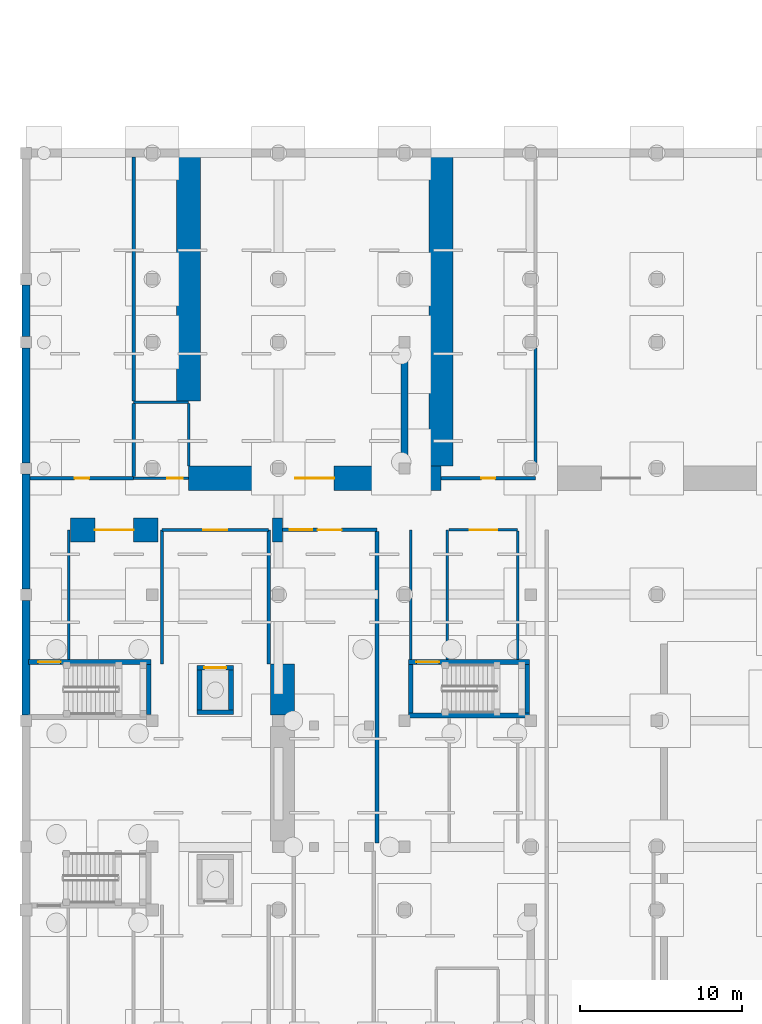
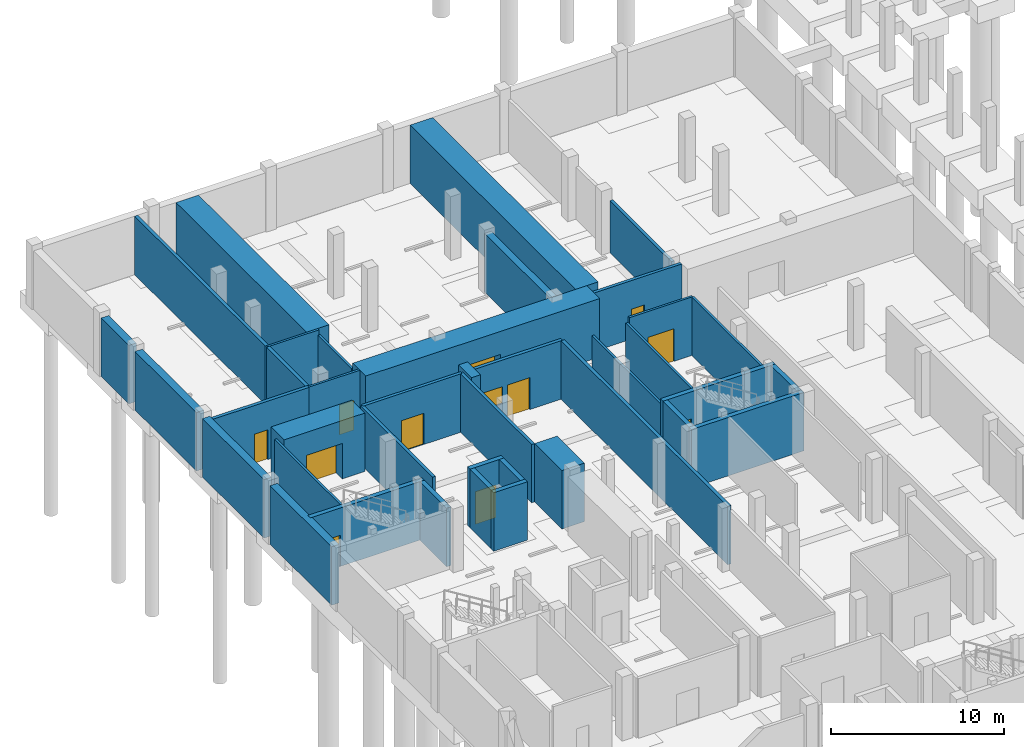
# One storey, part 12 of 24: 39 walls, 11 doors, 1 window, 12 openings.
"""IFC4 building model written with IfcOpenShell, lengths in metres."""

import ifcopenshell
import ifcopenshell.guid

model = None  # the IFC model being written
_history = None  # IfcOwnerHistory: only IFC2X3 demands one
_inside = {}  # id of a spatial element -> (the spatial element, [elements in it])
_under = {}  # id of a project, library or spatial element -> (it, [spatial elements below it])
_declared = {}  # id of a project -> (the project, [libraries it declares])
_typed = {}  # id of a type object -> (the type object, [elements of that type])
_made_of = {}  # id of a material, layer set ... -> (it, [elements and type objects made of it])


def new_model(schema):
    """Start an empty IFC model of exactly this schema.

    Asked for "IFC4X3", IfcOpenShell would pick the latest addendum, in which some entities
    have other attributes; the version numbers below select the first issue.
    IFC2X3 requires an IfcOwnerHistory on every rooted entity: one is made here for all.
    """
    global model, _history
    if schema == "IFC4X3":
        model = ifcopenshell.file(schema_version=(4, 3, 0, 0))
    else:
        model = ifcopenshell.file(schema=schema)
    _inside.clear()
    _under.clear()
    _declared.clear()
    _typed.clear()
    _made_of.clear()
    _history = None
    if model.schema == "IFC2X3":
        org = make("IfcOrganization", Name="unknown")
        user = make(
            "IfcPersonAndOrganization",
            ThePerson=make("IfcPerson", FamilyName="unknown"),
            TheOrganization=org,
        )
        app = make(
            "IfcApplication",
            ApplicationDeveloper=org,
            Version="unknown",
            ApplicationFullName="unknown",
            ApplicationIdentifier="unknown",
        )
        _history = make(
            "IfcOwnerHistory",
            OwningUser=user,
            OwningApplication=app,
            ChangeAction="ADDED",
            CreationDate=0,
        )
    return model


def make(cls, **values):
    """One entity of the class cls with the attributes given. An attribute that is None is left unset."""
    return model.create_entity(
        cls, **{name: value for name, value in values.items() if value is not None}
    )


def rooted(cls, **values):
    """An entity with a GlobalId (a new one), such as an element, a storey or a relation."""
    return make(cls, GlobalId=ifcopenshell.guid.new(), OwnerHistory=_history, **values)


def si_unit(unit_type, name, prefix=None):
    """IfcSIUnit, for example si_unit("LENGTHUNIT", "METRE", prefix="MILLI")."""
    return make("IfcSIUnit", UnitType=unit_type, Prefix=prefix, Name=name)


def assignment(units):
    """IfcUnitAssignment: the units of a project."""
    return None if units is None else make("IfcUnitAssignment", Units=units)


def point(xyz):
    """IfcCartesianPoint."""
    return None if xyz is None else make("IfcCartesianPoint", Coordinates=xyz)


def direction(xyz):
    """IfcDirection."""
    return None if xyz is None else make("IfcDirection", DirectionRatios=xyz)


def frame(location, z_axis=None, x_axis=None):
    """IfcAxis2Placement3D, a coordinate frame: its origin and axes. An axis left out is left unset."""
    return make(
        "IfcAxis2Placement3D",
        Location=point(location),
        Axis=direction(z_axis),
        RefDirection=direction(x_axis),
    )


def frame_2d(location, x_axis=None):
    """IfcAxis2Placement2D, a coordinate frame in the plane: its origin and x axis."""
    return make(
        "IfcAxis2Placement2D", Location=point(location), RefDirection=direction(x_axis)
    )


def origin():
    """The frame at (0, 0, 0) with its axes left unset."""
    return frame((0.0, 0.0, 0.0))


def place(relative_to, where):
    """IfcLocalPlacement: puts the frame where relative to a parent placement (None: the world)."""
    return make(
        "IfcLocalPlacement", PlacementRelTo=relative_to, RelativePlacement=where
    )


def context(
    kind, dimensions, precision=None, world=None, true_north=None, identifier=None
):
    """IfcGeometricRepresentationContext, for example the 3D "Model" context."""
    return make(
        "IfcGeometricRepresentationContext",
        ContextIdentifier=identifier,
        ContextType=kind,
        CoordinateSpaceDimension=dimensions,
        Precision=precision,
        WorldCoordinateSystem=world,
        TrueNorth=true_north,
    )


def subcontext(parent, identifier, kind, view, scale=None):
    """IfcGeometricRepresentationSubContext, for example "Body" below "Model"."""
    return make(
        "IfcGeometricRepresentationSubContext",
        ContextIdentifier=identifier,
        ContextType=kind,
        ParentContext=parent,
        TargetScale=scale,
        TargetView=view,
    )


def project(units=None, contexts=None):
    """IfcProject with its units and contexts."""
    return rooted(
        "IfcProject",
        Name="project",
        RepresentationContexts=contexts,
        UnitsInContext=assignment(units),
    )


def spatial(cls, under=None, at=None, **own):
    """A site, building, storey or space (cls), placed at a placement, below another one or the project."""
    s = rooted(cls, ObjectPlacement=at, **own)
    if under is not None:
        _under.setdefault(under.id(), (under, []))[1].append(s)
    return s


def profile(cls, at=None, kind="AREA", **sizes):
    """A parametric profile (cls). Its sizes go by their IFC names, for example OverallWidth=200.0."""
    return make(cls, ProfileType=kind, Position=at, **sizes)


def rectangle(**sizes):
    """IfcRectangleProfileDef."""
    return profile("IfcRectangleProfileDef", **sizes)


def extrude(swept, where, along, depth):
    """IfcExtrudedAreaSolid: the profile swept, set in the frame where, extruded along a direction by depth."""
    return make(
        "IfcExtrudedAreaSolid",
        SweptArea=swept,
        Position=where,
        ExtrudedDirection=direction(along),
        Depth=depth,
    )


def shape(context_of_items, identifier, shape_type, items):
    """IfcShapeRepresentation: the items that make up one representation, for example the "Body"."""
    return make(
        "IfcShapeRepresentation",
        ContextOfItems=context_of_items,
        RepresentationIdentifier=identifier,
        RepresentationType=shape_type,
        Items=items,
    )


def material(Name=None, Category=None):
    """IfcMaterial."""
    return make("IfcMaterial", Name=Name, Category=Category)


def layer(
    of_material, thickness, ventilated=None, Name=None, Category=None, Priority=None
):
    """IfcMaterialLayer: one layer of a wall or slab, of a material (None: an air gap)."""
    return make(
        "IfcMaterialLayer",
        Material=of_material,
        LayerThickness=thickness,
        IsVentilated=ventilated,
        Name=Name,
        Category=Category,
        Priority=Priority,
    )


def layer_set(layers, Name=None):
    """IfcMaterialLayerSet."""
    return make("IfcMaterialLayerSet", MaterialLayers=layers, LayerSetName=Name)


def made_of(thing, what):
    """Note that an element or type object is made of a material, layer set ...; save() writes the relation."""
    if what is not None:
        _made_of.setdefault(what.id(), (what, []))[1].append(thing)
    return thing


def type_object(cls, material=None, **own):
    """A type object (cls), such as IfcWallType, which elements share."""
    return made_of(rooted(cls, **own), material)


def element(
    cls,
    number,
    at=None,
    inside=None,
    cuts=None,
    type_object=None,
    material=None,
    context=None,
    identifier="Body",
    shape_type=None,
    held_by="IfcProductDefinitionShape",
    body=None,
    shapes=None,
    **own,
):
    """One element of the class cls, such as IfcWall. Its Tag is "e" and its number.

    at: its placement. inside: the storey or other place that contains it. cuts: it is an
    opening in that element (IfcRelVoidsElement). A single representation is given by context,
    identifier, shape_type and body (its items); several are given by shapes. held_by: the class
    of the entity that holds the representations. save() writes the other relations.
    """
    e = rooted(cls, Tag="e%d" % number, ObjectPlacement=at, **own)
    if body is not None:
        shapes = [shape(context, identifier, shape_type, body)]
    if shapes is not None:
        e.Representation = make(held_by, Representations=shapes)
    if inside is not None:
        _inside.setdefault(inside.id(), (inside, []))[1].append(e)
    if cuts is not None:
        rooted(
            "IfcRelVoidsElement", RelatingBuildingElement=cuts, RelatedOpeningElement=e
        )
    if type_object is not None:
        _typed.setdefault(type_object.id(), (type_object, []))[1].append(e)
    return made_of(e, material)


def fill(opening, filler):
    """IfcRelFillsElement: the door or window that sits in an opening."""
    return rooted(
        "IfcRelFillsElement",
        RelatingOpeningElement=opening,
        RelatedBuildingElement=filler,
    )


def aggregate(whole, parts):
    """IfcRelAggregates: a whole, such as a stair, and the parts it consists of."""
    return rooted("IfcRelAggregates", RelatingObject=whole, RelatedObjects=parts)


def save(model, path):
    """Write the relations noted so far, then the file.

    IfcRelAggregates (storeys below a building ...), IfcRelContainedInSpatialStructure (elements
    in a storey), IfcRelDefinesByType, IfcRelAssociatesMaterial and IfcRelDeclares: one each for
    every whole, place, type object, material and project.
    """
    for whole, parts in _under.values():
        aggregate(whole, parts)
    for where, things in _inside.values():
        rooted(
            "IfcRelContainedInSpatialStructure",
            RelatedElements=things,
            RelatingStructure=where,
        )
    for kind, things in _typed.values():
        rooted("IfcRelDefinesByType", RelatedObjects=things, RelatingType=kind)
    for what, things in _made_of.values():
        rooted("IfcRelAssociatesMaterial", RelatedObjects=things, RelatingMaterial=what)
    for by, libraries in _declared.values():
        rooted("IfcRelDeclares", RelatingContext=by, RelatedDefinitions=libraries)
    model.write(path)


model = new_model("IFC4")

# Units and contexts
model_context = context("Model", 3, precision=1e-05, world=origin(), true_north=direction((0.0, 1.0)))
body_context = subcontext(model_context, "Body", "Model", "MODEL_VIEW")
ifc_project = project(units=[si_unit("LENGTHUNIT", "METRE"), si_unit("AREAUNIT", "SQUARE_METRE"), si_unit("VOLUMEUNIT", "CUBIC_METRE"), si_unit("PLANEANGLEUNIT", "RADIAN"), si_unit("MASSUNIT", "GRAM", prefix="KILO")], contexts=[model_context])

# Site, building, storey
site_placement = place(None, origin())
site = spatial("IfcSite", under=ifc_project, at=site_placement, CompositionType="ELEMENT")
building_placement = place(site_placement, origin())
building = spatial("IfcBuilding", under=site, at=building_placement, Name="Celorna Specialist Clinic", CompositionType="ELEMENT")
storey_placement = place(building_placement, frame((0.0, 0.0, -4.5)))
storey = spatial("IfcBuildingStorey", under=building, at=storey_placement, Name="B01", CompositionType="ELEMENT", Elevation=-4.5)

# Wall
ifc_material_1 = material(Name="Concrete C40/50", Category="concrete")
ifc_layer_1 = layer(ifc_material_1, 1.5, Name="Concrete C40/50")
ifc_layer_set_1 = layer_set([ifc_layer_1], Name="Concrete C40/50")
wall_type_1 = type_object("IfcWallType", Name="WT-01", PredefinedType="SOLIDWALL", material=ifc_layer_set_1)
wall_1_placement = place(storey_placement, frame((15.85009765625, 46.89990234375, 0.0), z_axis=(0.0, 0.0, 1.0), x_axis=(-1.0, 0.0, 0.0)))
element("IfcWall", 1, at=wall_1_placement, inside=storey, type_object=wall_type_1, Name="Interior partition WT-01 B01-011", PredefinedType="SOLIDWALL", context=body_context, shape_type="SweptSolid", body=[
    extrude(rectangle(XDim=0.60009765625, YDim=1.5, at=frame_2d((0.300048828125, 0.0))), origin(), (0.0, 0.0, 1.0), 4.1201171875),
])

# Wall, opening, door
wall_2_placement = place(storey_placement, frame((8.14990234375, 46.89990234375, 0.0), z_axis=(0.0, 0.0, 1.0), x_axis=(-1.0, 0.0, 0.0)))
wall_2 = element("IfcWall", 2, at=wall_2_placement, inside=storey, type_object=wall_type_1, Name="Interior partition WT-01 B01-011", PredefinedType="SOLIDWALL", context=body_context, shape_type="SweptSolid", body=[
    extrude(rectangle(XDim=5.389892578125, YDim=1.5, at=frame_2d((2.69482421875, 0.0))), origin(), (0.0, 0.0, 1.0), 4.1201171875),
])
opening_1_placement = place(wall_2_placement, frame((1.5, 0.0, 0.0)))
opening_1 = element("IfcOpeningElement", 3, at=opening_1_placement, cuts=wall_2, Name="Opening DR-19", PredefinedType="OPENING", context=body_context, shape_type="SweptSolid", body=[
    extrude(rectangle(XDim=2.39990234375, YDim=2.5, at=frame_2d((1.199951171875, 1.25))), frame((0.0, 0.760009765625, 0.0), z_axis=(0.0, -1.0, 0.0), x_axis=(1.0, 0.0, 0.0)), (0.0, 0.0, 1.0), 1.52001953125),
])
ifc_material_2 = material(Name="Motorized radiation bunker sliding door")
door_type_1 = type_object("IfcDoorType", Name="DR-19", OperationType="SLIDING_TO_LEFT", PredefinedType="DOOR", material=ifc_material_2)
door_1_placement = place(opening_1_placement, origin())
door_1 = element("IfcDoor", 4, at=door_1_placement, inside=storey, type_object=door_type_1, Name="Linear Accelerator Radiotherapy Bunker door B01-011", OperationType="SLIDING_TO_LEFT", OverallHeight=2.5, OverallWidth=2.39990234375, PredefinedType="DOOR", context=body_context, shape_type="SweptSolid", body=[
    extrude(rectangle(XDim=2.39990234375, YDim=2.5, at=frame_2d((1.199951171875, 1.25))), frame((0.0, 0.02490234375, 0.0), z_axis=(0.0, -1.0, 0.0), x_axis=(1.0, 0.0, 0.0)), (0.0, 0.0, 1.0), 0.050048828125),
])
fill(opening_1, door_1)

wall_3_placement = place(storey_placement, frame((10.050048828125, 50.10009765625, 0.0), z_axis=(0.0, 0.0, 1.0), x_axis=(1.0, 0.0, 0.0)))
wall_3 = element("IfcWall", 5, at=wall_3_placement, inside=storey, type_object=wall_type_1, Name="Interior partition WT-01 B01-016", PredefinedType="SOLIDWALL", context=body_context, shape_type="SweptSolid", body=[
    extrude(rectangle(XDim=15.599853515625, YDim=1.5, at=frame_2d((7.7998046875, 0.0))), origin(), (0.0, 0.0, 1.0), 4.1201171875),
])
opening_2_placement = place(wall_3_placement, frame((6.60009765625, 0.0, 0.0)))
opening_2 = element("IfcOpeningElement", 6, at=opening_2_placement, cuts=wall_3, Name="Opening DR-19", PredefinedType="OPENING", context=body_context, shape_type="SweptSolid", body=[
    extrude(rectangle(XDim=2.39990234375, YDim=2.5, at=frame_2d((1.199951171875, 1.25))), frame((0.0, 0.760009765625, 0.0), z_axis=(0.0, -1.0, 0.0), x_axis=(1.0, 0.0, 0.0)), (0.0, 0.0, 1.0), 1.52001953125),
])
door_2_placement = place(opening_2_placement, origin())
door_2 = element("IfcDoor", 7, at=door_2_placement, inside=storey, type_object=door_type_1, Name="Linear Accelerator Radiotherapy Bunker door B01-016", OperationType="SLIDING_TO_LEFT", OverallHeight=2.5, OverallWidth=2.39990234375, PredefinedType="DOOR", context=body_context, shape_type="SweptSolid", body=[
    extrude(rectangle(XDim=2.39990234375, YDim=2.5, at=frame_2d((1.199951171875, 1.25))), frame((0.0, 0.02490234375, 0.0), z_axis=(0.0, -1.0, 0.0), x_axis=(1.0, 0.0, 0.0)), (0.0, 0.0, 1.0), 0.050048828125),
])
fill(opening_2, door_2)

# Walls
wall_4_placement = place(storey_placement, frame((15.85009765625, 35.449951171875, 0.0), z_axis=(0.0, 0.0, 1.0), x_axis=(0.0, 1.0, 0.0)))
element("IfcWall", 8, at=wall_4_placement, inside=storey, type_object=wall_type_1, Name="Room dividing partition WT-01 B01-011", PredefinedType="SOLIDWALL", context=body_context, shape_type="SweptSolid", body=[
    extrude(rectangle(XDim=3.150146484375, YDim=1.5, at=frame_2d((1.5751953125, 0.0))), origin(), (0.0, 0.0, 1.0), 4.1201171875),
])
wall_5_placement = place(storey_placement, frame((10.050048828125, 54.875, 0.0), z_axis=(0.0, 0.0, 1.0), x_axis=(0.0, 1.0, 0.0)))
element("IfcWall", 9, at=wall_5_placement, inside=storey, type_object=wall_type_1, Name="Room dividing partition WT-01 B01-016", PredefinedType="SOLIDWALL", context=body_context, shape_type="SweptSolid", body=[
    extrude(rectangle(XDim=15.074951171875, YDim=1.5, at=frame_2d((7.53759765625, 0.0))), origin(), (0.0, 0.0, 1.0), 4.1201171875),
])
wall_6_placement = place(storey_placement, frame((25.64990234375, 50.85009765625, 0.0), z_axis=(0.0, 0.0, 1.0), x_axis=(0.0, 1.0, 0.0)))
element("IfcWall", 10, at=wall_6_placement, inside=storey, type_object=wall_type_1, Name="Room dividing partition WT-01 B01-016", PredefinedType="SOLIDWALL", context=body_context, shape_type="SweptSolid", body=[
    extrude(rectangle(XDim=19.099853515625, YDim=1.5, at=frame_2d((9.5498046875, 0.0))), origin(), (0.0, 0.0, 1.0), 4.1201171875),
])
ifc_material_3 = material(Name="Concrete C35/45", Category="concrete")
ifc_layer_2 = layer(ifc_material_3, 0.5, Name="Concrete C35/45")
ifc_layer_set_2 = layer_set([ifc_layer_2], Name="Concrete C35/45")
wall_type_2 = type_object("IfcWallType", Name="WT-03", PredefinedType="SOLIDWALL", material=ifc_layer_set_2)
for number, where, z_axis, x_axis, name in (
    (11, (0.0, 35.449951171875, 0.0), (0.0, 0.0, 1.0), (0.0, 1.0, 0.0), "External facade wall WT-03 #2"),
    (12, (0.0, 43.25, 0.0), (0.0, 0.0, 1.0), (0.0, 1.0, 0.0), "External facade wall WT-03 #3"),
):
    element("IfcWall", number, at=place(storey_placement, frame(where, z_axis=z_axis, x_axis=x_axis)), inside=storey, type_object=wall_type_2, Name=name, PredefinedType="SOLIDWALL", context=body_context, shape_type="SweptSolid", body=[
        extrude(rectangle(XDim=7.10009765625, YDim=0.5, at=frame_2d((3.550048828125, 0.0))), origin(), (0.0, 0.0, 1.0), 4.1201171875),
    ])
wall_7_placement = place(storey_placement, frame((0.0, 51.050048828125, 0.0), z_axis=(0.0, 0.0, 1.0), x_axis=(0.0, 1.0, 0.0)))
element("IfcWall", 13, at=wall_7_placement, inside=storey, type_object=wall_type_2, Name="External facade wall WT-03 #4", PredefinedType="SOLIDWALL", context=body_context, shape_type="SweptSolid", body=[
    extrude(rectangle(XDim=7.099853515625, YDim=0.5, at=frame_2d((3.5498046875, 0.0))), origin(), (0.0, 0.0, 1.0), 4.1201171875),
])
wall_8_placement = place(storey_placement, frame((0.0, 58.85009765625, 0.0), z_axis=(0.0, 0.0, 1.0), x_axis=(0.0, 1.0, 0.0)))
element("IfcWall", 14, at=wall_8_placement, inside=storey, type_object=wall_type_2, Name="External facade wall WT-03 #5", PredefinedType="SOLIDWALL", context=body_context, shape_type="SweptSolid", body=[
    extrude(rectangle(XDim=3.199951171875, YDim=0.5, at=frame_2d((1.60009765625, 0.0))), origin(), (0.0, 0.0, 1.0), 4.1201171875),
])
ifc_layer_3 = layer(ifc_material_1, 0.449951171875, Name="Concrete C40/50")
ifc_layer_set_3 = layer_set([ifc_layer_3], Name="Concrete C40/50")
wall_type_3 = type_object("IfcWallType", Name="WT-04", PredefinedType="SHEAR", material=ifc_layer_set_3)
wall_9_placement = place(storey_placement, frame((23.39990234375, 50.85009765625, 0.0), z_axis=(0.0, 0.0, 1.0), x_axis=(0.0, 1.0, 0.0)))
element("IfcWall", 15, at=wall_9_placement, inside=storey, type_object=wall_type_3, Name="Structural RC shear wall WT-04 V2 B01", PredefinedType="SHEAR", context=body_context, shape_type="SweptSolid", body=[
    extrude(rectangle(XDim=7.5, YDim=0.449951171875, at=frame_2d((3.75, 0.0))), origin(), (0.0, 0.0, 1.0), 4.1201171875),
])

# Wall, opening, door
ifc_layer_4 = layer(ifc_material_3, 0.300048828125, Name="Concrete C35/45")
ifc_layer_set_4 = layer_set([ifc_layer_4], Name="Concrete C35/45")
wall_type_4 = type_object("IfcWallType", Name="WT-08", PredefinedType="SHEAR", material=ifc_layer_set_4)
wall_10_placement = place(storey_placement, frame((7.739990234375, 38.72998046875, 0.0), z_axis=(0.0, 0.0, 1.0), x_axis=(-1.0, 0.0, 0.0)))
wall_10 = element("IfcWall", 16, at=wall_10_placement, inside=storey, type_object=wall_type_4, Name="Stair ST-06 RC core wall B01 north", PredefinedType="SHEAR", context=body_context, shape_type="SweptSolid", body=[
    extrude(rectangle(XDim=7.590087890625, YDim=0.300048828125, at=frame_2d((3.794921875, 0.0))), origin(), (0.0, 0.0, 1.0), 4.1201171875),
])
opening_3_placement = place(wall_10_placement, frame((5.60009765625, 0.0, 0.0)))
opening_3 = element("IfcOpeningElement", 17, at=opening_3_placement, cuts=wall_10, Name="Opening DR-10", PredefinedType="OPENING", context=body_context, shape_type="SweptSolid", body=[
    extrude(rectangle(XDim=1.39990234375, YDim=2.199951171875, at=frame_2d((0.699951171875, 1.10009765625))), frame((0.0, 0.159912109375, 0.0), z_axis=(0.0, -1.0, 0.0), x_axis=(1.0, 0.0, 0.0)), (0.0, 0.0, 1.0), 0.320068359375),
])
ifc_material_4 = material(Name="Protected exit stair fire door")
door_type_2 = type_object("IfcDoorType", Name="DR-10", OperationType="NOTDEFINED", PredefinedType="DOOR", material=ifc_material_4)
door_3_placement = place(opening_3_placement, origin())
door_3 = element("IfcDoor", 18, at=door_3_placement, inside=storey, type_object=door_type_2, Name="Protected exit stair door ST-06 B01", OperationType="SINGLE_SWING_RIGHT", OverallHeight=2.199951171875, OverallWidth=1.39990234375, PredefinedType="DOOR", context=body_context, shape_type="SweptSolid", body=[
    extrude(rectangle(XDim=1.39990234375, YDim=2.199951171875, at=frame_2d((0.699951171875, 1.10009765625))), frame((0.0, 0.02490234375, 0.0), z_axis=(0.0, -1.0, 0.0), x_axis=(1.0, 0.0, 0.0)), (0.0, 0.0, 1.0), 0.050048828125),
])
fill(opening_3, door_3)

# Walls
wall_11_placement = place(storey_placement, frame((7.590087890625, 35.47998046875, 0.0), z_axis=(0.0, 0.0, 1.0), x_axis=(0.0, 1.0, 0.0)))
element("IfcWall", 19, at=wall_11_placement, inside=storey, type_object=wall_type_4, Name="Stair ST-06 RC core wall B01 east", PredefinedType="SHEAR", context=body_context, shape_type="SweptSolid", body=[
    extrude(rectangle(XDim=3.10009765625, YDim=0.300048828125, at=frame_2d((1.550048828125, 0.0))), origin(), (0.0, 0.0, 1.0), 4.1201171875),
])
wall_12_placement = place(storey_placement, frame((23.639892578125, 35.429931640625, 0.0), z_axis=(0.0, 0.0, 1.0), x_axis=(1.0, 0.0, 0.0)))
element("IfcWall", 20, at=wall_12_placement, inside=storey, type_object=wall_type_4, Name="Stair ST-07 RC core wall B01 south", PredefinedType="SHEAR", context=body_context, shape_type="SweptSolid", body=[
    extrude(rectangle(XDim=7.5, YDim=0.300048828125, at=frame_2d((3.75, 0.0))), origin(), (0.0, 0.0, 1.0), 4.1201171875),
])

# Wall, opening, door
wall_13_placement = place(storey_placement, frame((31.139892578125, 38.72998046875, 0.0), z_axis=(0.0, 0.0, 1.0), x_axis=(-1.0, 0.0, 0.0)))
wall_13 = element("IfcWall", 21, at=wall_13_placement, inside=storey, type_object=wall_type_4, Name="Stair ST-07 RC core wall B01 north", PredefinedType="SHEAR", context=body_context, shape_type="SweptSolid", body=[
    extrude(rectangle(XDim=7.5, YDim=0.300048828125, at=frame_2d((3.75, 0.0))), origin(), (0.0, 0.0, 1.0), 4.1201171875),
])
opening_4_placement = place(wall_13_placement, frame((5.60009765625, 0.0, 0.0)))
opening_4 = element("IfcOpeningElement", 22, at=opening_4_placement, cuts=wall_13, Name="Opening DR-10", PredefinedType="OPENING", context=body_context, shape_type="SweptSolid", body=[
    extrude(rectangle(XDim=1.39990234375, YDim=2.199951171875, at=frame_2d((0.699951171875, 1.10009765625))), frame((0.0, 0.159912109375, 0.0), z_axis=(0.0, -1.0, 0.0), x_axis=(1.0, 0.0, 0.0)), (0.0, 0.0, 1.0), 0.320068359375),
])
door_4_placement = place(opening_4_placement, origin())
door_4 = element("IfcDoor", 23, at=door_4_placement, inside=storey, type_object=door_type_2, Name="Protected exit stair door ST-07 B01", OperationType="SINGLE_SWING_RIGHT", OverallHeight=2.199951171875, OverallWidth=1.39990234375, PredefinedType="DOOR", context=body_context, shape_type="SweptSolid", body=[
    extrude(rectangle(XDim=1.39990234375, YDim=2.199951171875, at=frame_2d((0.699951171875, 1.10009765625))), frame((0.0, 0.02490234375, 0.0), z_axis=(0.0, -1.0, 0.0), x_axis=(1.0, 0.0, 0.0)), (0.0, 0.0, 1.0), 0.050048828125),
])
fill(opening_4, door_4)

# Walls
for number, where, z_axis, x_axis, name in (
    (24, (23.7900390625, 38.580078125, 0.0), (0.0, 0.0, 1.0), (0.0, -1.0, 0.0), "Stair ST-07 RC core wall B01 west"),
    (25, (30.989990234375, 35.580078125, 0.0), (0.0, 0.0, 1.0), (0.0, 1.0, 0.0), "Stair ST-07 RC core wall B01 east"),
):
    element("IfcWall", number, at=place(storey_placement, frame(where, z_axis=z_axis, x_axis=x_axis)), inside=storey, type_object=wall_type_4, Name=name, PredefinedType="SHEAR", context=body_context, shape_type="SweptSolid", body=[
        extrude(rectangle(XDim=3.0, YDim=0.300048828125, at=frame_2d((1.5, 0.0))), origin(), (0.0, 0.0, 1.0), 4.1201171875),
    ])
wall_14_placement = place(storey_placement, frame((10.574951171875, 35.625, 0.0), z_axis=(0.0, 0.0, 1.0), x_axis=(1.0, 0.0, 0.0)))
element("IfcWall", 26, at=wall_14_placement, inside=storey, type_object=wall_type_4, Name="Lift LF-06 RC shaft wall B01", PredefinedType="SHEAR", context=body_context, shape_type="SweptSolid", body=[
    extrude(rectangle(XDim=2.25, YDim=0.300048828125, at=frame_2d((1.125, 0.0))), origin(), (0.0, 0.0, 1.0), 4.1201171875),
])

# Wall, opening, door
wall_15_placement = place(storey_placement, frame((12.824951171875, 38.375, 0.0), z_axis=(0.0, 0.0, 1.0), x_axis=(-1.0, 0.0, 0.0)))
wall_15 = element("IfcWall", 27, at=wall_15_placement, inside=storey, type_object=wall_type_4, Name="Lift LF-06 RC shaft wall B01", PredefinedType="SHEAR", context=body_context, shape_type="SweptSolid", body=[
    extrude(rectangle(XDim=2.25, YDim=0.300048828125, at=frame_2d((1.125, 0.0))), origin(), (0.0, 0.0, 1.0), 4.1201171875),
])
opening_5_placement = place(wall_15_placement, frame((0.449951171875, 0.0, 0.0)))
opening_5 = element("IfcOpeningElement", 28, at=opening_5_placement, cuts=wall_15, Name="Opening LD-02", PredefinedType="OPENING", context=body_context, shape_type="SweptSolid", body=[
    extrude(rectangle(XDim=1.35009765625, YDim=2.300048828125, at=frame_2d((0.675048828125, 1.14990234375))), frame((0.0, 0.159912109375, 0.0), z_axis=(0.0, -1.0, 0.0), x_axis=(1.0, 0.0, 0.0)), (0.0, 0.0, 1.0), 0.320068359375),
])
ifc_material_5 = material(Name="Firefighting stretcher lift landing sliding door")
door_type_3 = type_object("IfcDoorType", Name="LD-02", OperationType="DOUBLE_DOOR_SLIDING", PredefinedType="DOOR", material=ifc_material_5)
door_5_placement = place(opening_5_placement, origin())
door_5 = element("IfcDoor", 29, at=door_5_placement, inside=storey, type_object=door_type_3, Name="Lift LF-06 sliding landing door B01", OperationType="DOUBLE_DOOR_SLIDING", OverallHeight=2.300048828125, OverallWidth=1.35009765625, PredefinedType="DOOR", context=body_context, shape_type="SweptSolid", body=[
    extrude(rectangle(XDim=1.35009765625, YDim=2.300048828125, at=frame_2d((0.675048828125, 1.14990234375))), frame((0.0, 0.02490234375, 0.0), z_axis=(0.0, -1.0, 0.0), x_axis=(1.0, 0.0, 0.0)), (0.0, 0.0, 1.0), 0.050048828125),
])
fill(opening_5, door_5)

# Walls
for number, where, z_axis, x_axis, name in (
    (30, (10.72509765625, 38.22509765625, 0.0), (0.0, 0.0, 1.0), (0.0, -1.0, 0.0), "Lift LF-06 RC shaft wall B01"),
    (31, (12.675048828125, 35.77490234375, 0.0), (0.0, 0.0, 1.0), (0.0, 1.0, 0.0), "Lift LF-06 RC shaft wall B01"),
):
    element("IfcWall", number, at=place(storey_placement, frame(where, z_axis=z_axis, x_axis=x_axis)), inside=storey, type_object=wall_type_4, Name=name, PredefinedType="SHEAR", context=body_context, shape_type="SweptSolid", body=[
        extrude(rectangle(XDim=2.4501953125, YDim=0.300048828125, at=frame_2d((1.22509765625, 0.0))), origin(), (0.0, 0.0, 1.0), 4.1201171875),
    ])

# Wall, openings, door, window
ifc_material_6 = material(Name="Lead-lined gypsum and masonry partition", Category="masonry")
ifc_layer_5 = layer(ifc_material_6, 0.219970703125, Name="Lead-lined gypsum and masonry partition")
ifc_layer_set_5 = layer_set([ifc_layer_5], Name="Lead-lined gypsum and masonry partition")
wall_type_5 = type_object("IfcWallType", Name="WT-11", PredefinedType="PARTITIONING", material=ifc_layer_set_5)
wall_16_placement = place(storey_placement, frame((21.699951171875, 46.89990234375, 0.0), z_axis=(0.0, 0.0, 1.0), x_axis=(-1.0, 0.0, 0.0)))
wall_16 = element("IfcWall", 32, at=wall_16_placement, inside=storey, type_object=wall_type_5, Name="Interior partition WT-11 B01-012", PredefinedType="PARTITIONING", context=body_context, shape_type="SweptSolid", body=[
    extrude(rectangle(XDim=5.849853515625, YDim=0.219970703125, at=frame_2d((2.9248046875, 0.0))), origin(), (0.0, 0.0, 1.0), 4.1201171875),
])
opening_6_placement = place(wall_16_placement, frame((2.18505859375, 0.0, 0.0)))
opening_6 = element("IfcOpeningElement", 33, at=opening_6_placement, cuts=wall_16, Name="Opening DR-23", PredefinedType="OPENING", context=body_context, shape_type="SweptSolid", body=[
    extrude(rectangle(XDim=1.47998046875, YDim=2.25, at=frame_2d((0.739990234375, 1.125))), frame((0.0, 0.119873046875, 0.0), z_axis=(0.0, -1.0, 0.0), x_axis=(1.0, 0.0, 0.0)), (0.0, 0.0, 1.0), 0.239990234375),
])
opening_7_placement = place(wall_16_placement, frame((4.0, 0.0, 1.050048828125)))
opening_7 = element("IfcOpeningElement", 34, at=opening_7_placement, cuts=wall_16, Name="Opening WN-20", PredefinedType="OPENING", context=body_context, shape_type="SweptSolid", body=[
    extrude(rectangle(XDim=1.39990234375, YDim=1.199951171875, at=frame_2d((0.699951171875, 0.60009765625))), frame((0.0, 0.119873046875, 0.0), z_axis=(0.0, -1.0, 0.0), x_axis=(1.0, 0.0, 0.0)), (0.0, 0.0, 1.0), 0.239990234375),
])
ifc_material_7 = material(Name="Double leaf treatment room door")
door_type_4 = type_object("IfcDoorType", Name="DR-23", OperationType="DOUBLE_DOOR_SINGLE_SWING", PredefinedType="DOOR", material=ifc_material_7)
door_6_placement = place(opening_6_placement, origin())
door_6 = element("IfcDoor", 35, at=door_6_placement, inside=storey, type_object=door_type_4, Name="Radiotherapy Control Room door B01-012", OperationType="DOUBLE_DOOR_SINGLE_SWING", OverallHeight=2.25, OverallWidth=1.47998046875, PredefinedType="DOOR", context=body_context, shape_type="SweptSolid", body=[
    extrude(rectangle(XDim=1.47998046875, YDim=2.25, at=frame_2d((0.739990234375, 1.125))), frame((0.0, 0.02490234375, 0.0), z_axis=(0.0, -1.0, 0.0), x_axis=(1.0, 0.0, 0.0)), (0.0, 0.0, 1.0), 0.050048828125),
])
fill(opening_6, door_6)
ifc_material_8 = material(Name="Lead-glass clinical observation window", Category="glass")
window_type = type_object("IfcWindowType", Name="WN-20", PartitioningType="SINGLE_PANEL", PredefinedType="WINDOW", material=ifc_material_8)
window_placement = place(opening_7_placement, origin())
window = element("IfcWindow", 36, at=window_placement, inside=storey, type_object=window_type, Name="Clinical observation window B01-012", OverallHeight=1.199951171875, OverallWidth=1.39990234375, PartitioningType="SINGLE_PANEL", PredefinedType="WINDOW", context=body_context, shape_type="SweptSolid", body=[
    extrude(rectangle(XDim=1.39990234375, YDim=1.199951171875, at=frame_2d((0.699951171875, 0.60009765625))), frame((0.0, 0.030029296875, 0.0), z_axis=(0.0, -1.0, 0.0), x_axis=(1.0, 0.0, 0.0)), (0.0, 0.0, 1.0), 0.06005859375),
])
fill(opening_7, window)

# Wall, opening, door
wall_17_placement = place(storey_placement, frame((0.25, 50.10009765625, 0.0), z_axis=(0.0, 0.0, 1.0), x_axis=(1.0, 0.0, 0.0)))
wall_17 = element("IfcWall", 37, at=wall_17_placement, inside=storey, type_object=wall_type_5, Name="Interior partition WT-11 B01-014", PredefinedType="PARTITIONING", context=body_context, shape_type="SweptSolid", body=[
    extrude(rectangle(XDim=6.39990234375, YDim=0.219970703125, at=frame_2d((3.199951171875, 0.0))), origin(), (0.0, 0.0, 1.0), 4.1201171875),
])
opening_8_placement = place(wall_17_placement, frame((2.75, 0.0, 0.0)))
opening_8 = element("IfcOpeningElement", 38, at=opening_8_placement, cuts=wall_17, Name="Opening DR-02", PredefinedType="OPENING", context=body_context, shape_type="SweptSolid", body=[
    extrude(rectangle(XDim=0.89990234375, YDim=2.10009765625, at=frame_2d((0.449951171875, 1.050048828125))), frame((0.0, 0.119873046875, 0.0), z_axis=(0.0, -1.0, 0.0), x_axis=(1.0, 0.0, 0.0)), (0.0, 0.0, 1.0), 0.239990234375),
])
ifc_material_9 = material(Name="Timber acoustic clinical door", Category="wood")
door_type_5 = type_object("IfcDoorType", Name="DR-02", OperationType="NOTDEFINED", PredefinedType="DOOR", material=ifc_material_9)
door_7_placement = place(opening_8_placement, origin())
door_7 = element("IfcDoor", 39, at=door_7_placement, inside=storey, type_object=door_type_5, Name="Brachytherapy Preparation Suite door B01-014", OperationType="SINGLE_SWING_RIGHT", OverallHeight=2.10009765625, OverallWidth=0.89990234375, PredefinedType="DOOR", context=body_context, shape_type="SweptSolid", body=[
    extrude(rectangle(XDim=0.89990234375, YDim=2.10009765625, at=frame_2d((0.449951171875, 1.050048828125))), frame((0.0, 0.02490234375, 0.0), z_axis=(0.0, -1.0, 0.0), x_axis=(1.0, 0.0, 0.0)), (0.0, 0.0, 1.0), 0.050048828125),
])
fill(opening_8, door_7)

# Walls
wall_18_placement = place(storey_placement, frame((21.699951171875, 27.550048828125, 0.0), z_axis=(0.0, 0.0, 1.0), x_axis=(0.0, 1.0, 0.0)))
element("IfcWall", 40, at=wall_18_placement, inside=storey, type_object=wall_type_5, Name="Room dividing partition WT-11 B01-012", PredefinedType="PARTITIONING", context=body_context, shape_type="SweptSolid", body=[
    extrude(rectangle(XDim=19.239990234375, YDim=0.219970703125, at=frame_2d((9.6201171875, 0.0))), origin(), (0.0, 0.0, 1.0), 4.1201171875),
])
wall_19_placement = place(storey_placement, frame((6.64990234375, 50.2099609375, 0.0), z_axis=(0.0, 0.0, 1.0), x_axis=(0.0, 1.0, 0.0)))
element("IfcWall", 41, at=wall_19_placement, inside=storey, type_object=wall_type_5, Name="Room dividing partition WT-11 B01-014", PredefinedType="PARTITIONING", context=body_context, shape_type="SweptSolid", body=[
    extrude(rectangle(XDim=4.51513671875, YDim=0.219970703125, at=frame_2d((2.257568359375, 0.0))), origin(), (0.0, 0.0, 1.0), 4.1201171875),
])
wall_20_placement = place(storey_placement, frame((6.64990234375, 54.875, 0.0), z_axis=(0.0, 0.0, 1.0), x_axis=(0.0, 1.0, 0.0)))
element("IfcWall", 42, at=wall_20_placement, inside=storey, type_object=wall_type_5, Name="Room dividing partition WT-11 B01-014", PredefinedType="PARTITIONING", context=body_context, shape_type="SweptSolid", body=[
    extrude(rectangle(XDim=15.074951171875, YDim=0.219970703125, at=frame_2d((7.53759765625, 0.0))), origin(), (0.0, 0.0, 1.0), 4.1201171875),
])

# Wall, opening, door
ifc_layer_6 = layer(ifc_material_3, 0.199951171875, Name="Concrete C35/45")
ifc_layer_set_6 = layer_set([ifc_layer_6], Name="Concrete C35/45")
wall_type_6 = type_object("IfcWallType", Name="WT-12", PredefinedType="SOLIDWALL", material=ifc_layer_set_6)
wall_21_placement = place(storey_placement, frame((15.0, 46.89990234375, 0.0), z_axis=(0.0, 0.0, 1.0), x_axis=(-1.0, 0.0, 0.0)))
wall_21 = element("IfcWall", 43, at=wall_21_placement, inside=storey, type_object=wall_type_6, Name="Lift lobby wall LF-06 B01", PredefinedType="SOLIDWALL", context=body_context, shape_type="SweptSolid", body=[
    extrude(rectangle(XDim=6.60009765625, YDim=0.199951171875, at=frame_2d((3.300048828125, 0.0))), origin(), (0.0, 0.0, 1.0), 4.1201171875),
])
opening_9_placement = place(wall_21_placement, frame((2.550048828125, 0.0, 0.0)))
opening_9 = element("IfcOpeningElement", 44, at=opening_9_placement, cuts=wall_21, Name="Opening DR-11", PredefinedType="OPENING", context=body_context, shape_type="SweptSolid", body=[
    extrude(rectangle(XDim=1.5, YDim=2.199951171875, at=frame_2d((0.75, 1.10009765625))), frame((0.0, 0.10986328125, 0.0), z_axis=(0.0, -1.0, 0.0), x_axis=(1.0, 0.0, 0.0)), (0.0, 0.0, 1.0), 0.219970703125),
])
ifc_material_10 = material(Name="Firefighting lobby double fire door")
door_type_6 = type_object("IfcDoorType", Name="DR-11", OperationType="DOUBLE_DOOR_SINGLE_SWING", PredefinedType="DOOR", material=ifc_material_10)
door_8_placement = place(opening_9_placement, origin())
door_8 = element("IfcDoor", 45, at=door_8_placement, inside=storey, type_object=door_type_6, Name="Lift lobby fire door LF-06 B01", OperationType="DOUBLE_DOOR_SINGLE_SWING", OverallHeight=2.199951171875, OverallWidth=1.5, PredefinedType="DOOR", context=body_context, shape_type="SweptSolid", body=[
    extrude(rectangle(XDim=1.5, YDim=2.199951171875, at=frame_2d((0.75, 1.10009765625))), frame((0.0, 0.02490234375, 0.0), z_axis=(0.0, -1.0, 0.0), x_axis=(1.0, 0.0, 0.0)), (0.0, 0.0, 1.0), 0.050048828125),
])
fill(opening_9, door_8)

# Walls
for number, where, z_axis, x_axis, name in (
    (46, (8.39990234375, 46.89990234375, 0.0), (0.0, 0.0, 1.0), (0.0, -1.0, 0.0), "Lift lobby wall LF-06 B01"),
    (47, (15.0, 38.60009765625, 0.0), (0.0, 0.0, 1.0), (0.0, 1.0, 0.0), "Lift lobby wall LF-06 B01"),
):
    element("IfcWall", number, at=place(storey_placement, frame(where, z_axis=z_axis, x_axis=x_axis)), inside=storey, type_object=wall_type_6, Name=name, PredefinedType="SOLIDWALL", context=body_context, shape_type="SweptSolid", body=[
        extrude(rectangle(XDim=8.2998046875, YDim=0.199951171875, at=frame_2d((4.14990234375, 0.0))), origin(), (0.0, 0.0, 1.0), 4.1201171875),
    ])

# Wall, opening, door
wall_22_placement = place(storey_placement, frame((25.64990234375, 50.10009765625, 0.0), z_axis=(0.0, 0.0, 1.0), x_axis=(1.0, 0.0, 0.0)))
wall_22 = element("IfcWall", 48, at=wall_22_placement, inside=storey, type_object=wall_type_6, Name="Interior partition WT-12 B01-017", PredefinedType="SOLIDWALL", context=body_context, shape_type="SweptSolid", body=[
    extrude(rectangle(XDim=5.85009765625, YDim=0.199951171875, at=frame_2d((2.925048828125, 0.0))), origin(), (0.0, 0.0, 1.0), 4.1201171875),
])
opening_10_placement = place(wall_22_placement, frame((2.5, 0.0, 0.0)))
opening_10 = element("IfcOpeningElement", 49, at=opening_10_placement, cuts=wall_22, Name="Opening DR-01", PredefinedType="OPENING", context=body_context, shape_type="SweptSolid", body=[
    extrude(rectangle(XDim=0.85009765625, YDim=2.10009765625, at=frame_2d((0.425048828125, 1.050048828125))), frame((0.0, 0.10986328125, 0.0), z_axis=(0.0, -1.0, 0.0), x_axis=(1.0, 0.0, 0.0)), (0.0, 0.0, 1.0), 0.219970703125),
])
ifc_material_11 = material(Name="Powder-coated steel door", Category="steel")
door_type_7 = type_object("IfcDoorType", Name="DR-01", OperationType="NOTDEFINED", PredefinedType="DOOR", material=ifc_material_11)
door_9_placement = place(opening_10_placement, origin())
door_9 = element("IfcDoor", 50, at=door_9_placement, inside=storey, type_object=door_type_7, Name="Medical Gas and Chiller Plant Room door B01-017", OperationType="SINGLE_SWING_LEFT", OverallHeight=2.10009765625, OverallWidth=0.85009765625, PredefinedType="DOOR", context=body_context, shape_type="SweptSolid", body=[
    extrude(rectangle(XDim=0.85009765625, YDim=2.10009765625, at=frame_2d((0.425048828125, 1.050048828125))), frame((0.0, 0.02490234375, 0.0), z_axis=(0.0, -1.0, 0.0), x_axis=(1.0, 0.0, 0.0)), (0.0, 0.0, 1.0), 0.050048828125),
])
fill(opening_10, door_9)

# Walls
wall_23_placement = place(storey_placement, frame((31.5, 51.050048828125, 0.0), z_axis=(0.0, 0.0, 1.0), x_axis=(0.0, 1.0, 0.0)))
element("IfcWall", 51, at=wall_23_placement, inside=storey, type_object=wall_type_6, Name="Room dividing partition WT-12 B01-017", PredefinedType="SOLIDWALL", context=body_context, shape_type="SweptSolid", body=[
    extrude(rectangle(XDim=7.099853515625, YDim=0.199951171875, at=frame_2d((3.5498046875, 0.0))), origin(), (0.0, 0.0, 1.0), 3.669921875),
])
ifc_material_12 = material(Name="Fire-rated gypsum board partition")
ifc_layer_7 = layer(ifc_material_12, 0.14990234375, Name="Fire-rated gypsum board partition")
ifc_layer_set_7 = layer_set([ifc_layer_7], Name="Fire-rated gypsum board partition")
wall_type_7 = type_object("IfcWallType", Name="WT-14", PredefinedType="PARTITIONING", material=ifc_layer_set_7)
wall_24_placement = place(storey_placement, frame((2.639892578125, 38.8798828125, 0.0), z_axis=(0.0, 0.0, 1.0), x_axis=(0.0, 1.0, 0.0)))
element("IfcWall", 52, at=wall_24_placement, inside=storey, type_object=wall_type_7, Name="Corridor spur partition WT-14", PredefinedType="PARTITIONING", context=body_context, shape_type="SweptSolid", body=[
    extrude(rectangle(XDim=8.02001953125, YDim=0.14990234375, at=frame_2d((4.010009765625, 0.0))), origin(), (0.0, 0.0, 1.0), 3.760009765625),
])
wall_25_placement = place(storey_placement, frame((23.7900390625, 38.8798828125, 0.0), z_axis=(0.0, 0.0, 1.0), x_axis=(0.0, 1.0, 0.0)))
element("IfcWall", 53, at=wall_25_placement, inside=storey, type_object=wall_type_7, Name="Corridor spur partition WT-14", PredefinedType="PARTITIONING", context=body_context, shape_type="SweptSolid", body=[
    extrude(rectangle(XDim=8.02001953125, YDim=0.14990234375, at=frame_2d((4.010009765625, 0.0))), origin(), (0.0, 0.0, 1.0), 3.669921875),
])
wall_26_placement = place(storey_placement, frame((26.0400390625, 38.8798828125, 0.0), z_axis=(0.0, 0.0, 1.0), x_axis=(0.0, 1.0, 0.0)))
element("IfcWall", 54, at=wall_26_placement, inside=storey, type_object=wall_type_7, Name="Corridor spur partition WT-14", PredefinedType="PARTITIONING", context=body_context, shape_type="SweptSolid", body=[
    extrude(rectangle(XDim=8.02001953125, YDim=0.14990234375, at=frame_2d((4.010009765625, 0.0))), origin(), (0.0, 0.0, 1.0), 3.760009765625),
])

# Wall, opening, door
wall_27_placement = place(storey_placement, frame((30.39990234375, 46.89990234375, 0.0), z_axis=(0.0, 0.0, 1.0), x_axis=(-1.0, 0.0, 0.0)))
wall_27 = element("IfcWall", 55, at=wall_27_placement, inside=storey, type_object=wall_type_7, Name="Interior partition WT-14 B01-013", PredefinedType="PARTITIONING", context=body_context, shape_type="SweptSolid", body=[
    extrude(rectangle(XDim=4.239990234375, YDim=0.14990234375, at=frame_2d((2.1201171875, 0.0))), origin(), (0.0, 0.0, 1.0), 4.1201171875),
])
opening_11_placement = place(wall_27_placement, frame((1.260009765625, 0.0, 0.0)))
opening_11 = element("IfcOpeningElement", 56, at=opening_11_placement, cuts=wall_27, Name="Opening DR-24", PredefinedType="OPENING", context=body_context, shape_type="SweptSolid", body=[
    extrude(rectangle(XDim=1.719970703125, YDim=2.300048828125, at=frame_2d((0.85986328125, 1.14990234375))), frame((0.0, 0.0849609375, 0.0), z_axis=(0.0, -1.0, 0.0), x_axis=(1.0, 0.0, 0.0)), (0.0, 0.0, 1.0), 0.169921875),
])
ifc_material_13 = material(Name="Double leaf clinical waiting door")
door_type_8 = type_object("IfcDoorType", Name="DR-24", OperationType="DOUBLE_DOOR_SINGLE_SWING", PredefinedType="DOOR", material=ifc_material_13)
door_10_placement = place(opening_11_placement, origin())
door_10 = element("IfcDoor", 57, at=door_10_placement, inside=storey, type_object=door_type_8, Name="Dosimetry and Medical Physics Laboratory door B01-013", OperationType="DOUBLE_DOOR_SINGLE_SWING", OverallHeight=2.300048828125, OverallWidth=1.719970703125, PredefinedType="DOOR", context=body_context, shape_type="SweptSolid", body=[
    extrude(rectangle(XDim=1.719970703125, YDim=2.300048828125, at=frame_2d((0.85986328125, 1.14990234375))), frame((0.0, 0.02490234375, 0.0), z_axis=(0.0, -1.0, 0.0), x_axis=(1.0, 0.0, 0.0)), (0.0, 0.0, 1.0), 0.050048828125),
])
fill(opening_11, door_10)

wall_28_placement = place(storey_placement, frame((6.64990234375, 50.10009765625, 0.0), z_axis=(0.0, 0.0, 1.0), x_axis=(1.0, 0.0, 0.0)))
wall_28 = element("IfcWall", 58, at=wall_28_placement, inside=storey, type_object=wall_type_7, Name="Interior partition WT-14 B01-015", PredefinedType="PARTITIONING", context=body_context, shape_type="SweptSolid", body=[
    extrude(rectangle(XDim=3.400146484375, YDim=0.14990234375, at=frame_2d((1.7001953125, 0.0))), origin(), (0.0, 0.0, 1.0), 4.1201171875),
])
opening_12_placement = place(wall_28_placement, frame((2.074951171875, 0.0, 0.0)))
opening_12 = element("IfcOpeningElement", 59, at=opening_12_placement, cuts=wall_28, Name="Opening DR-03", PredefinedType="OPENING", context=body_context, shape_type="SweptSolid", body=[
    extrude(rectangle(XDim=0.949951171875, YDim=2.10009765625, at=frame_2d((0.47509765625, 1.050048828125))), frame((0.0, 0.0849609375, 0.0), z_axis=(0.0, -1.0, 0.0), x_axis=(1.0, 0.0, 0.0)), (0.0, 0.0, 1.0), 0.169921875),
])
ifc_material_14 = material(Name="Moisture-resistant accessible WC door")
door_type_9 = type_object("IfcDoorType", Name="DR-03", OperationType="NOTDEFINED", PredefinedType="DOOR", material=ifc_material_14)
door_11_placement = place(opening_12_placement, origin())
door_11 = element("IfcDoor", 60, at=door_11_placement, inside=storey, type_object=door_type_9, Name="Accessible WC door B01-015", OperationType="SINGLE_SWING_LEFT", OverallHeight=2.10009765625, OverallWidth=0.949951171875, PredefinedType="DOOR", context=body_context, shape_type="SweptSolid", body=[
    extrude(rectangle(XDim=0.949951171875, YDim=2.10009765625, at=frame_2d((0.47509765625, 1.050048828125))), frame((0.0, 0.02490234375, 0.0), z_axis=(0.0, -1.0, 0.0), x_axis=(1.0, 0.0, 0.0)), (0.0, 0.0, 1.0), 0.050048828125),
])
fill(opening_12, door_11)

# Walls
wall_29_placement = place(storey_placement, frame((6.64990234375, 54.800048828125, 0.0), z_axis=(0.0, 0.0, 1.0), x_axis=(1.0, 0.0, 0.0)))
element("IfcWall", 61, at=wall_29_placement, inside=storey, type_object=wall_type_7, Name="Sanitary suite rear partition B01-015", PredefinedType="PARTITIONING", context=body_context, shape_type="SweptSolid", body=[
    extrude(rectangle(XDim=3.400146484375, YDim=0.14990234375, at=frame_2d((1.7001953125, 0.0))), origin(), (0.0, 0.0, 1.0), 4.1201171875),
])
wall_30_placement = place(storey_placement, frame((30.39990234375, 38.8798828125, 0.0), z_axis=(0.0, 0.0, 1.0), x_axis=(0.0, 1.0, 0.0)))
element("IfcWall", 62, at=wall_30_placement, inside=storey, type_object=wall_type_7, Name="Room dividing partition WT-14 B01-013", PredefinedType="PARTITIONING", context=body_context, shape_type="SweptSolid", body=[
    extrude(rectangle(XDim=7.945068359375, YDim=0.14990234375, at=frame_2d((3.97265625, 0.0))), origin(), (0.0, 0.0, 1.0), 4.1201171875),
])
wall_31_placement = place(storey_placement, frame((10.050048828125, 50.85009765625, 0.0), z_axis=(0.0, 0.0, 1.0), x_axis=(0.0, 1.0, 0.0)))
element("IfcWall", 63, at=wall_31_placement, inside=storey, type_object=wall_type_7, Name="Room dividing partition WT-14 B01-015", PredefinedType="PARTITIONING", context=body_context, shape_type="SweptSolid", body=[
    extrude(rectangle(XDim=3.875, YDim=0.14990234375, at=frame_2d((1.9375, 0.0))), origin(), (0.0, 0.0, 1.0), 3.760009765625),
])

save(model, "model.ifc")
